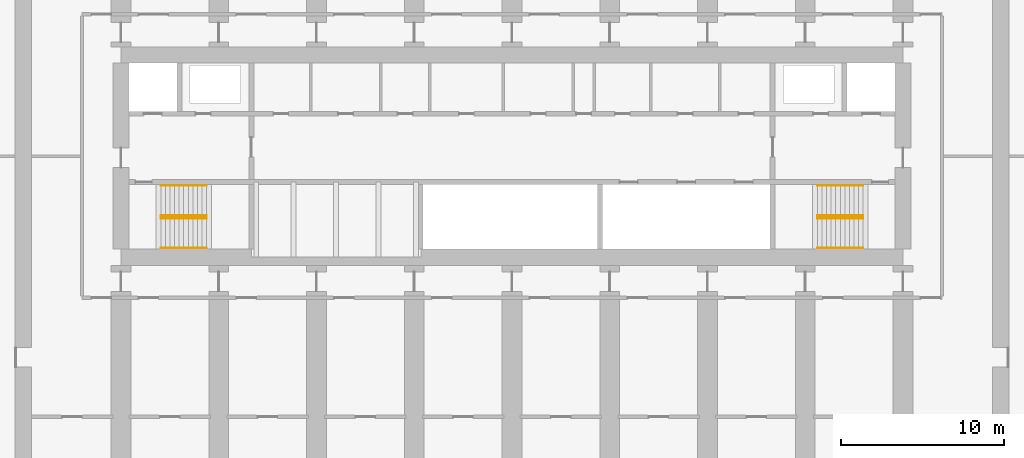
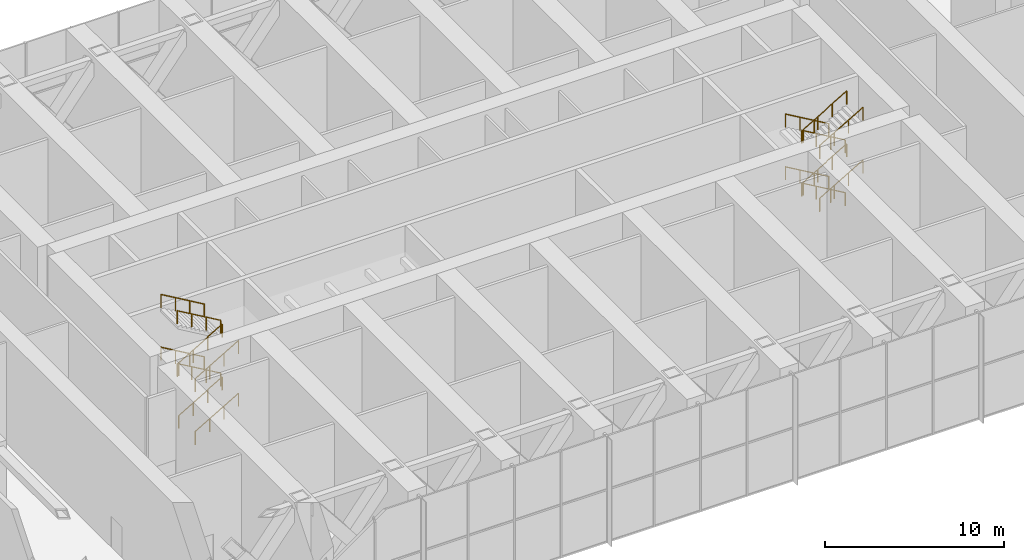
# One storey, part 24 of 24: 16 railings.
"""IFC4 building model written with IfcOpenShell, lengths in metres."""

from ifc_helpers import new_model, si_unit, direction, frame, origin, origin_2d, place, context, subcontext, project, spatial, circle, extrude, material, type_object, element, save


model = new_model("IFC4")

# Units and contexts
model_context = context("Model", 3, precision=1e-05, world=origin(), true_north=direction((0.0, 1.0)))
body_context = subcontext(model_context, "Body", "Model", "MODEL_VIEW")
ifc_project = project(units=[si_unit("LENGTHUNIT", "METRE"), si_unit("AREAUNIT", "SQUARE_METRE"), si_unit("VOLUMEUNIT", "CUBIC_METRE"), si_unit("PLANEANGLEUNIT", "RADIAN"), si_unit("MASSUNIT", "GRAM", prefix="KILO")], contexts=[model_context])

# Site, building, storey
site_placement = place(None, origin())
site = spatial("IfcSite", under=ifc_project, at=site_placement, CompositionType="ELEMENT")
building_placement = place(site_placement, origin())
building = spatial("IfcBuilding", under=site, at=building_placement, Name="Orbita Commons", CompositionType="ELEMENT")
storey_placement = place(building_placement, frame((0.0, 0.0, 68.949951171875)))
storey = spatial("IfcBuildingStorey", under=building, at=storey_placement, Name="L17", CompositionType="ELEMENT", Elevation=68.949951171875)

# Railings
ifc_material = material(Name="Steel tube, painted", Category="steel")
railing_type = type_object("IfcRailingType", Name="Stair handrail steel tube 900", PredefinedType="HANDRAIL", material=ifc_material)
for number, where, name in (
    (1, (20.449951171875, 28.18994140625, 0.16357421875), "Stair S1 handrail L17 flight 1"),
    (2, (20.449951171875, 26.360107421875, 0.16357421875), "Stair S1 handrail L17 flight 1"),
):
    element("IfcRailing", number, at=place(storey_placement, frame(where)), inside=storey, type_object=railing_type, Name=name, PredefinedType="HANDRAIL", context=body_context, shape_type="SweptSolid", body=[
        extrude(circle(Radius=0.02099609375, at=origin_2d()), frame((0.0, 0.0, 0.87890625), z_axis=(0.863360870873, 0.0, 0.504586966384), x_axis=(0.0, 1.0, 0.0)), (0.0, 0.0, 1.0), 3.2431640625),
        extrude(circle(Radius=0.02001953125, at=origin_2d()), origin(), (0.0, 0.0, 1.0), 0.85791015625),
        extrude(circle(Radius=0.02001953125, at=origin_2d()), frame((0.933349609375, 0.0, 0.54541015625)), (0.0, 0.0, 1.0), 0.85791015625),
        extrude(circle(Radius=0.02001953125, at=origin_2d()), frame((1.86669921875, 0.0, 1.091064453125)), (0.0, 0.0, 1.0), 0.85791015625),
        extrude(circle(Radius=0.02001953125, at=origin_2d()), frame((2.800048828125, 0.0, 1.636474609375)), (0.0, 0.0, 1.0), 0.85791015625),
    ])
for number, where, name in (
    (3, (23.25, 28.360107421875, 1.963623046875), "Stair S1 handrail L17 flight 2"),
    (4, (23.25, 30.18994140625, 1.963623046875), "Stair S1 handrail L17 flight 2"),
):
    element("IfcRailing", number, at=place(storey_placement, frame(where)), inside=storey, type_object=railing_type, Name=name, PredefinedType="HANDRAIL", context=body_context, shape_type="SweptSolid", body=[
        extrude(circle(Radius=0.02099609375, at=origin_2d()), frame((0.0, 0.0, 0.87890625), z_axis=(-0.863360870873, 0.0, 0.504586966384), x_axis=(0.0, -1.0, 0.0)), (0.0, 0.0, 1.0), 3.2431640625),
        extrude(circle(Radius=0.02001953125, at=origin_2d()), origin(), (0.0, 0.0, 1.0), 0.85791015625),
        extrude(circle(Radius=0.02001953125, at=origin_2d()), frame((-0.933349609375, 0.0, 0.54541015625)), (0.0, 0.0, 1.0), 0.85791015625),
        extrude(circle(Radius=0.02001953125, at=origin_2d()), frame((-1.86669921875, 0.0, 1.091064453125)), (0.0, 0.0, 1.0), 0.85791015625),
        extrude(circle(Radius=0.02001953125, at=origin_2d()), frame((-2.800048828125, 0.0, 1.636474609375)), (0.0, 0.0, 1.0), 0.85791015625),
    ])
for number, where, name in (
    (5, (20.449951171875, 28.18994140625, 3.763671875), "Stair S1 handrail L17 flight 3"),
    (6, (20.449951171875, 26.360107421875, 3.763671875), "Stair S1 handrail L17 flight 3"),
):
    element("IfcRailing", number, at=place(storey_placement, frame(where)), inside=storey, type_object=railing_type, Name=name, PredefinedType="HANDRAIL", context=body_context, shape_type="SweptSolid", body=[
        extrude(circle(Radius=0.02099609375, at=origin_2d()), frame((0.0, 0.0, 0.87890625), z_axis=(0.863360870873, 0.0, 0.504586966384), x_axis=(0.0, 1.0, 0.0)), (0.0, 0.0, 1.0), 3.2431640625),
        extrude(circle(Radius=0.02001953125, at=origin_2d()), origin(), (0.0, 0.0, 1.0), 0.85791015625),
        extrude(circle(Radius=0.02001953125, at=origin_2d()), frame((0.933349609375, 0.0, 0.54541015625)), (0.0, 0.0, 1.0), 0.85791015625),
        extrude(circle(Radius=0.02001953125, at=origin_2d()), frame((1.86669921875, 0.0, 1.091064453125)), (0.0, 0.0, 1.0), 0.85791015625),
        extrude(circle(Radius=0.02001953125, at=origin_2d()), frame((2.800048828125, 0.0, 1.636474609375)), (0.0, 0.0, 1.0), 0.85791015625),
    ])
for number, where, name in (
    (7, (23.25, 28.360107421875, 5.563720703125), "Stair S1 handrail L17 flight 4"),
    (8, (23.25, 30.18994140625, 5.563720703125), "Stair S1 handrail L17 flight 4"),
):
    element("IfcRailing", number, at=place(storey_placement, frame(where)), inside=storey, type_object=railing_type, Name=name, PredefinedType="HANDRAIL", context=body_context, shape_type="SweptSolid", body=[
        extrude(circle(Radius=0.02099609375, at=origin_2d()), frame((0.0, 0.0, 0.87890625), z_axis=(-0.863393664356, 0.0, 0.504530851732), x_axis=(0.0, -1.0, 0.0)), (0.0, 0.0, 1.0), 3.2431640625),
        extrude(circle(Radius=0.02001953125, at=origin_2d()), origin(), (0.0, 0.0, 1.0), 0.85791015625),
        extrude(circle(Radius=0.02001953125, at=origin_2d()), frame((-0.933349609375, 0.0, 0.54541015625)), (0.0, 0.0, 1.0), 0.85791015625),
        extrude(circle(Radius=0.02001953125, at=origin_2d()), frame((-1.86669921875, 0.0, 1.0908203125)), (0.0, 0.0, 1.0), 0.85791015625),
        extrude(circle(Radius=0.02001953125, at=origin_2d()), frame((-2.800048828125, 0.0, 1.63623046875)), (0.0, 0.0, 1.0), 0.85791015625),
    ])
for number, where, name in (
    (9, (63.550048828125, 28.360107421875, 0.16357421875), "Stair S2 handrail L17 flight 1"),
    (10, (63.550048828125, 30.18994140625, 0.16357421875), "Stair S2 handrail L17 flight 1"),
):
    element("IfcRailing", number, at=place(storey_placement, frame(where)), inside=storey, type_object=railing_type, Name=name, PredefinedType="HANDRAIL", context=body_context, shape_type="SweptSolid", body=[
        extrude(circle(Radius=0.02099609375, at=origin_2d()), frame((0.0, 0.0, 0.87890625), z_axis=(-0.863360870873, 0.0, 0.504586966384), x_axis=(0.0, -1.0, 0.0)), (0.0, 0.0, 1.0), 3.2431640625),
        extrude(circle(Radius=0.02001953125, at=origin_2d()), origin(), (0.0, 0.0, 1.0), 0.85791015625),
        extrude(circle(Radius=0.02001953125, at=origin_2d()), frame((-0.933349609375, 0.0, 0.54541015625)), (0.0, 0.0, 1.0), 0.85791015625),
        extrude(circle(Radius=0.02001953125, at=origin_2d()), frame((-1.86669921875, 0.0, 1.091064453125)), (0.0, 0.0, 1.0), 0.85791015625),
        extrude(circle(Radius=0.02001953125, at=origin_2d()), frame((-2.800048828125, 0.0, 1.636474609375)), (0.0, 0.0, 1.0), 0.85791015625),
    ])
for number, where, name in (
    (11, (60.75, 28.18994140625, 1.963623046875), "Stair S2 handrail L17 flight 2"),
    (12, (60.75, 26.360107421875, 1.963623046875), "Stair S2 handrail L17 flight 2"),
):
    element("IfcRailing", number, at=place(storey_placement, frame(where)), inside=storey, type_object=railing_type, Name=name, PredefinedType="HANDRAIL", context=body_context, shape_type="SweptSolid", body=[
        extrude(circle(Radius=0.02099609375, at=origin_2d()), frame((0.0, 0.0, 0.87890625), z_axis=(0.863360870873, 0.0, 0.504586966384), x_axis=(0.0, 1.0, 0.0)), (0.0, 0.0, 1.0), 3.2431640625),
        extrude(circle(Radius=0.02001953125, at=origin_2d()), origin(), (0.0, 0.0, 1.0), 0.85791015625),
        extrude(circle(Radius=0.02001953125, at=origin_2d()), frame((0.933349609375, 0.0, 0.54541015625)), (0.0, 0.0, 1.0), 0.85791015625),
        extrude(circle(Radius=0.02001953125, at=origin_2d()), frame((1.86669921875, 0.0, 1.091064453125)), (0.0, 0.0, 1.0), 0.85791015625),
        extrude(circle(Radius=0.02001953125, at=origin_2d()), frame((2.800048828125, 0.0, 1.636474609375)), (0.0, 0.0, 1.0), 0.85791015625),
    ])
for number, where, name in (
    (13, (63.550048828125, 28.360107421875, 3.763671875), "Stair S2 handrail L17 flight 3"),
    (14, (63.550048828125, 30.18994140625, 3.763671875), "Stair S2 handrail L17 flight 3"),
):
    element("IfcRailing", number, at=place(storey_placement, frame(where)), inside=storey, type_object=railing_type, Name=name, PredefinedType="HANDRAIL", context=body_context, shape_type="SweptSolid", body=[
        extrude(circle(Radius=0.02099609375, at=origin_2d()), frame((0.0, 0.0, 0.87890625), z_axis=(-0.863360870873, 0.0, 0.504586966384), x_axis=(0.0, -1.0, 0.0)), (0.0, 0.0, 1.0), 3.2431640625),
        extrude(circle(Radius=0.02001953125, at=origin_2d()), origin(), (0.0, 0.0, 1.0), 0.85791015625),
        extrude(circle(Radius=0.02001953125, at=origin_2d()), frame((-0.933349609375, 0.0, 0.54541015625)), (0.0, 0.0, 1.0), 0.85791015625),
        extrude(circle(Radius=0.02001953125, at=origin_2d()), frame((-1.86669921875, 0.0, 1.091064453125)), (0.0, 0.0, 1.0), 0.85791015625),
        extrude(circle(Radius=0.02001953125, at=origin_2d()), frame((-2.800048828125, 0.0, 1.636474609375)), (0.0, 0.0, 1.0), 0.85791015625),
    ])
for number, where, name in (
    (15, (60.75, 28.18994140625, 5.563720703125), "Stair S2 handrail L17 flight 4"),
    (16, (60.75, 26.360107421875, 5.563720703125), "Stair S2 handrail L17 flight 4"),
):
    element("IfcRailing", number, at=place(storey_placement, frame(where)), inside=storey, type_object=railing_type, Name=name, PredefinedType="HANDRAIL", context=body_context, shape_type="SweptSolid", body=[
        extrude(circle(Radius=0.02099609375, at=origin_2d()), frame((0.0, 0.0, 0.87890625), z_axis=(0.863393664356, 0.0, 0.504530851732), x_axis=(0.0, 1.0, 0.0)), (0.0, 0.0, 1.0), 3.2431640625),
        extrude(circle(Radius=0.02001953125, at=origin_2d()), origin(), (0.0, 0.0, 1.0), 0.85791015625),
        extrude(circle(Radius=0.02001953125, at=origin_2d()), frame((0.933349609375, 0.0, 0.54541015625)), (0.0, 0.0, 1.0), 0.85791015625),
        extrude(circle(Radius=0.02001953125, at=origin_2d()), frame((1.86669921875, 0.0, 1.0908203125)), (0.0, 0.0, 1.0), 0.85791015625),
        extrude(circle(Radius=0.02001953125, at=origin_2d()), frame((2.800048828125, 0.0, 1.63623046875)), (0.0, 0.0, 1.0), 0.85791015625),
    ])

save(model, "model.ifc")
